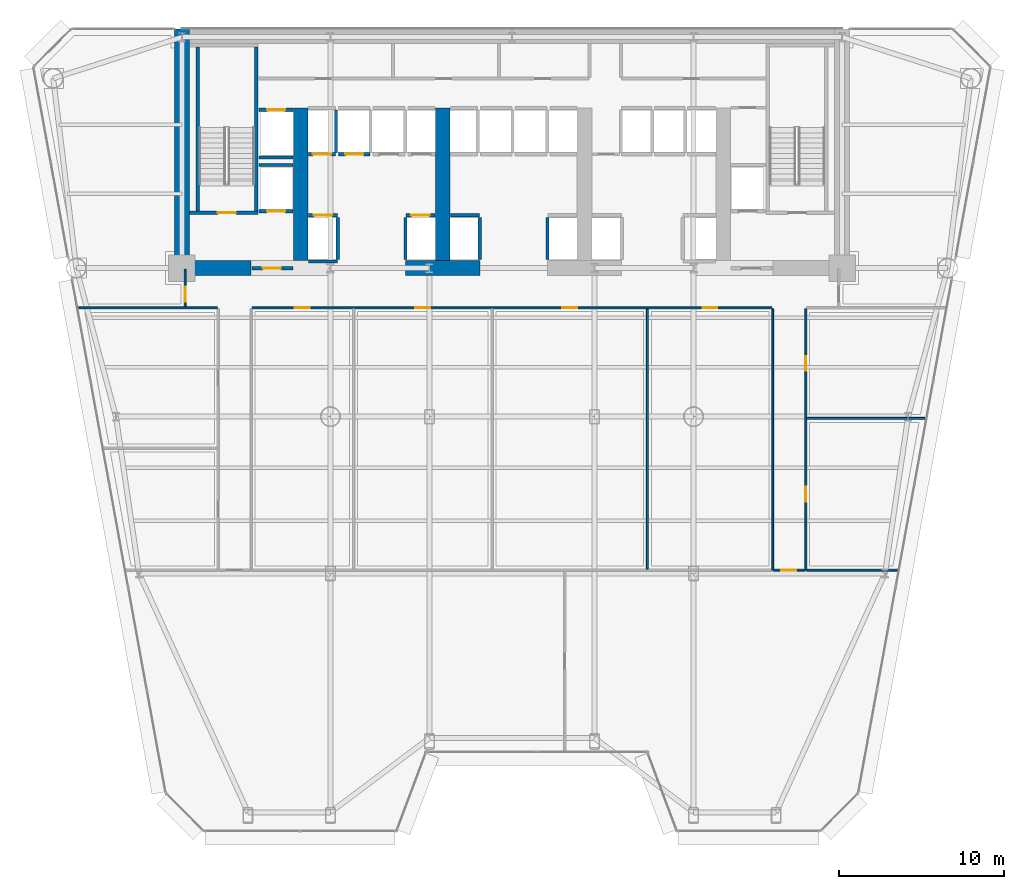
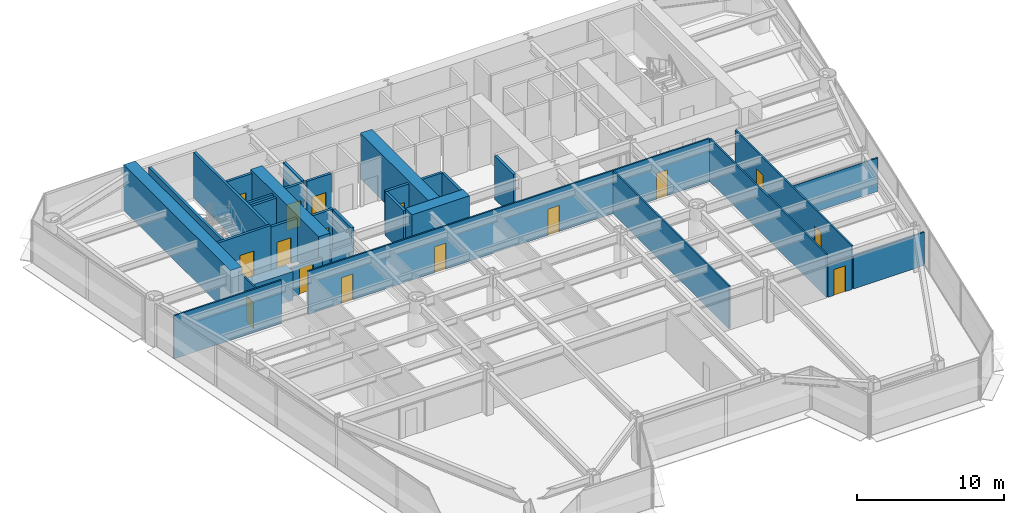
# One storey, part 8 of 14: 33 walls, 16 doors, 16 openings.
"""IFC4 building model written with IfcOpenShell, lengths in metres."""

from ifc_helpers import new_model, si_unit, direction, frame, frame_2d, origin, place, context, subcontext, project, spatial, rectangle, extrude, source, transform, mapped, material, layer, layer_set, type_object, element, fill, save


model = new_model("IFC4")

# Units and contexts
model_context = context("Model", 3, precision=1e-05, world=origin(), true_north=direction((0.0, 1.0)))
body_context = subcontext(model_context, "Body", "Model", "MODEL_VIEW")
ifc_project = project(units=[si_unit("LENGTHUNIT", "METRE"), si_unit("AREAUNIT", "SQUARE_METRE"), si_unit("VOLUMEUNIT", "CUBIC_METRE"), si_unit("PLANEANGLEUNIT", "RADIAN"), si_unit("MASSUNIT", "GRAM", prefix="KILO")], contexts=[model_context])

# Site, building, storey
site_placement = place(None, origin())
site = spatial("IfcSite", under=ifc_project, at=site_placement, CompositionType="ELEMENT")
building_placement = place(site_placement, origin())
building = spatial("IfcBuilding", under=site, at=building_placement, Name="Vaeldorn Concourse Tower", CompositionType="ELEMENT")
storey_placement = place(building_placement, frame((0.0, 0.0, 56.800048828125)))
storey = spatial("IfcBuildingStorey", under=building, at=storey_placement, Name="L14", CompositionType="ELEMENT", Elevation=56.800048828125)

# Walls
ifc_material_1 = material(Name="Concrete C60/75", Category="concrete")
ifc_layer_1 = layer(ifc_material_1, 0.89990234375)
ifc_layer_set_1 = layer_set([ifc_layer_1], Name="Concrete C60/75")
wall_type_1 = type_object("IfcWallType", Name="WL-CORE-900", PredefinedType="SHEAR", material=ifc_layer_set_1)
wall_1_placement = place(storey_placement, frame((14.0, 36.5, 0.0), z_axis=(0.0, 0.0, 1.0), x_axis=(0.0, 1.0, 0.0)))
element("IfcWall", 1, at=wall_1_placement, inside=storey, type_object=wall_type_1, Name="Rear Core Shear Wall L14 W1", PredefinedType="SHEAR", context=body_context, shape_type="SweptSolid", body=[
    extrude(rectangle(XDim=14.5, YDim=0.89990234375, at=frame_2d((7.25, 0.0))), origin(), (0.0, 0.0, 1.0), 3.800048828125),
])
wall_2_placement = place(storey_placement, frame((14.469970703125, 36.5, 0.0), z_axis=(0.0, 0.0, 1.0), x_axis=(1.0, 0.0, 0.0)))
element("IfcWall", 2, at=wall_2_placement, inside=storey, type_object=wall_type_1, Name="Rear Core Shear Wall L14 S1", PredefinedType="SHEAR", context=body_context, shape_type="SweptSolid", body=[
    extrude(rectangle(XDim=3.72998046875, YDim=0.89990234375, at=frame_2d((1.864990234375, 0.0))), origin(), (0.0, 0.0, 1.0), 2.3798828125),
])
wall_3_placement = place(storey_placement, frame((27.550048828125, 36.5, 0.0), z_axis=(0.0, 0.0, 1.0), x_axis=(1.0, 0.0, 0.0)))
element("IfcWall", 3, at=wall_3_placement, inside=storey, type_object=wall_type_1, Name="Rear Core Shear Wall L14 S2", PredefinedType="SHEAR", context=body_context, shape_type="SweptSolid", body=[
    extrude(rectangle(XDim=4.5, YDim=0.89990234375, at=frame_2d((2.25, 0.0))), origin(), (0.0, 0.0, 1.0), 3.800048828125),
])
for number, where, z_axis, x_axis, name in (
    (4, (21.199951171875, 36.969970703125, 0.0), (0.0, 0.0, 1.0), (0.0, 1.0, 0.0), "Rear Core Shear Wall L14 M1"),
    (5, (29.800048828125, 36.969970703125, 0.0), (0.0, 0.0, 1.0), (0.0, 1.0, 0.0), "Rear Core Shear Wall L14 M2"),
):
    element("IfcWall", number, at=place(storey_placement, frame(where, z_axis=z_axis, x_axis=x_axis)), inside=storey, type_object=wall_type_1, Name=name, PredefinedType="SHEAR", context=body_context, shape_type="SweptSolid", body=[
        extrude(rectangle(XDim=9.22998046875, YDim=0.89990234375, at=frame_2d((4.614990234375, 0.0))), origin(), (0.0, 0.0, 1.0), 3.800048828125),
    ])

# Wall, openings, doors
ifc_material_2 = material(Name="Gypsum Board Partition", Category="gypsum")
ifc_layer_2 = layer(ifc_material_2, 0.1201171875)
ifc_layer_set_2 = layer_set([ifc_layer_2], Name="Gypsum Board Partition")
wall_type_2 = type_object("IfcWallType", Name="WL-PART-120", PredefinedType="PARTITIONING", material=ifc_layer_set_2)
wall_4_placement = place(storey_placement, frame((18.260009765625, 34.10009765625, 0.0), z_axis=(0.0, 0.0, 1.0), x_axis=(1.0, 0.0, 0.0)))
wall_4 = element("IfcWall", 6, at=wall_4_placement, inside=storey, type_object=wall_type_2, Name="Interior Wall PW-L14-CEWS", PredefinedType="PARTITIONING", context=body_context, shape_type="SweptSolid", body=[
    extrude(rectangle(XDim=31.47998046875, YDim=0.1201171875, at=frame_2d((15.739990234375, 0.0))), origin(), (0.0, 0.0, 1.0), 3.579833984375),
])
opening_1_placement = place(wall_4_placement, frame((2.590087890625, 0.0, 0.0)))
opening_1 = element("IfcOpeningElement", 7, at=opening_1_placement, cuts=wall_4, Name="Opening D-03", PredefinedType="OPENING", context=body_context, shape_type="SweptSolid", body=[
    extrude(rectangle(XDim=0.89990234375, YDim=2.14990234375, at=frame_2d((0.449951171875, 1.074951171875))), frame((0.0, 0.070068359375, 0.0), z_axis=(0.0, -1.0, 0.0), x_axis=(1.0, 0.0, 0.0)), (0.0, 0.0, 1.0), 0.14013671875),
])
opening_2_placement = place(wall_4_placement, frame((9.889892578125, 0.0, 0.0)))
opening_2 = element("IfcOpeningElement", 8, at=opening_2_placement, cuts=wall_4, Name="Opening D-03", PredefinedType="OPENING", context=body_context, shape_type="SweptSolid", body=[
    extrude(rectangle(XDim=0.89990234375, YDim=2.14990234375, at=frame_2d((0.449951171875, 1.074951171875))), frame((0.0, 0.070068359375, 0.0), z_axis=(0.0, -1.0, 0.0), x_axis=(1.0, 0.0, 0.0)), (0.0, 0.0, 1.0), 0.14013671875),
])
opening_3_placement = place(wall_4_placement, frame((18.7900390625, 0.0, 0.0)))
opening_3 = element("IfcOpeningElement", 9, at=opening_3_placement, cuts=wall_4, Name="Opening D-03", PredefinedType="OPENING", context=body_context, shape_type="SweptSolid", body=[
    extrude(rectangle(XDim=0.89990234375, YDim=2.14990234375, at=frame_2d((0.449951171875, 1.074951171875))), frame((0.0, 0.070068359375, 0.0), z_axis=(0.0, -1.0, 0.0), x_axis=(1.0, 0.0, 0.0)), (0.0, 0.0, 1.0), 0.14013671875),
])
opening_4_placement = place(wall_4_placement, frame((27.2900390625, 0.0, 0.0)))
opening_4 = element("IfcOpeningElement", 10, at=opening_4_placement, cuts=wall_4, Name="Opening D-03", PredefinedType="OPENING", context=body_context, shape_type="SweptSolid", body=[
    extrude(rectangle(XDim=0.89990234375, YDim=2.14990234375, at=frame_2d((0.449951171875, 1.074951171875))), frame((0.0, 0.070068359375, 0.0), z_axis=(0.0, -1.0, 0.0), x_axis=(1.0, 0.0, 0.0)), (0.0, 0.0, 1.0), 0.14013671875),
])
ifc_material_3 = material(Name="Acoustic Bronze-Framed Glass Door", Category="glass")
door_type_1 = type_object("IfcDoorType", Name="DR-INT-900", OperationType="NOTDEFINED", PredefinedType="DOOR", material=ifc_material_3)
shared_shape_1 = source(origin(), body_context, "Body", "SweptSolid", [
    extrude(rectangle(XDim=0.89990234375, YDim=2.14990234375, at=frame_2d((0.449951171875, 1.074951171875))), frame((0.0, 0.02490234375, 0.0), z_axis=(0.0, -1.0, 0.0), x_axis=(1.0, 0.0, 0.0)), (0.0, 0.0, 1.0), 0.050048828125),
])
door_1_placement = place(opening_1_placement, origin())
door_1 = element("IfcDoor", 11, at=door_1_placement, inside=storey, type_object=door_type_1, Name="Interior Door DR-L14-H1", OperationType="SINGLE_SWING_LEFT", OverallHeight=2.14990234375, OverallWidth=0.89990234375, PredefinedType="DOOR", context=body_context, shape_type="MappedRepresentation", body=[
    mapped(shared_shape_1, transform((0.0, 0.0, 0.0), scale=1.0)),
])
fill(opening_1, door_1)
door_2_placement = place(opening_2_placement, origin())
door_2 = element("IfcDoor", 12, at=door_2_placement, inside=storey, type_object=door_type_1, Name="Interior Door DR-L14-H2", OperationType="SINGLE_SWING_RIGHT", OverallHeight=2.14990234375, OverallWidth=0.89990234375, PredefinedType="DOOR", context=body_context, shape_type="MappedRepresentation", body=[
    mapped(shared_shape_1, transform((0.0, 0.0, 0.0), scale=1.0)),
])
fill(opening_2, door_2)
door_3_placement = place(opening_3_placement, origin())
door_3 = element("IfcDoor", 13, at=door_3_placement, inside=storey, type_object=door_type_1, Name="Interior Door DR-L14-H3", OperationType="SINGLE_SWING_LEFT", OverallHeight=2.14990234375, OverallWidth=0.89990234375, PredefinedType="DOOR", context=body_context, shape_type="MappedRepresentation", body=[
    mapped(shared_shape_1, transform((0.0, 0.0, 0.0), scale=1.0)),
])
fill(opening_3, door_3)
door_4_placement = place(opening_4_placement, origin())
door_4 = element("IfcDoor", 14, at=door_4_placement, inside=storey, type_object=door_type_1, Name="Interior Door DR-L14-H4", OperationType="SINGLE_SWING_RIGHT", OverallHeight=2.14990234375, OverallWidth=0.89990234375, PredefinedType="DOOR", context=body_context, shape_type="MappedRepresentation", body=[
    mapped(shared_shape_1, transform((0.0, 0.0, 0.0), scale=1.0)),
])
fill(opening_4, door_4)

# Wall
wall_5_placement = place(storey_placement, frame((7.70068359375, 34.10009765625, 0.0), z_axis=(0.0, 0.0, 1.0), x_axis=(1.0, 0.0, 0.0)))
element("IfcWall", 15, at=wall_5_placement, inside=storey, type_object=wall_type_2, Name="Interior Wall PW-L14-CEWW", PredefinedType="PARTITIONING", context=body_context, shape_type="SweptSolid", body=[
    extrude(rectangle(XDim=8.439208984375, YDim=0.1201171875, at=frame_2d((4.2197265625, 0.0))), origin(), (0.0, 0.0, 1.0), 3.579833984375),
])

# Wall, opening, door
wall_6_placement = place(storey_placement, frame((14.199951171875, 34.159912109375, 0.0), z_axis=(0.0, 0.0, 1.0), x_axis=(0.0, 1.0, 0.0)))
wall_6 = element("IfcWall", 16, at=wall_6_placement, inside=storey, type_object=wall_type_2, Name="Interior Wall PW-L14-CWWT", PredefinedType="PARTITIONING", context=body_context, shape_type="SweptSolid", body=[
    extrude(rectangle(XDim=2.280029296875, YDim=0.1201171875, at=frame_2d((1.14013671875, 0.0))), origin(), (0.0, 0.0, 1.0), 3.579833984375),
])
opening_5_placement = place(wall_6_placement, frame((0.300048828125, 0.0, 0.0)))
opening_5 = element("IfcOpeningElement", 17, at=opening_5_placement, cuts=wall_6, Name="Opening D-03", PredefinedType="OPENING", context=body_context, shape_type="SweptSolid", body=[
    extrude(rectangle(XDim=0.89990234375, YDim=2.14990234375, at=frame_2d((0.449951171875, 1.074951171875))), frame((0.0, 0.070068359375, 0.0), z_axis=(0.0, -1.0, 0.0), x_axis=(1.0, 0.0, 0.0)), (0.0, 0.0, 1.0), 0.14013671875),
])
door_5_placement = place(opening_5_placement, origin())
door_5 = element("IfcDoor", 18, at=door_5_placement, inside=storey, type_object=door_type_1, Name="Interior Door DR-L14-NW1", OperationType="SINGLE_SWING_LEFT", OverallHeight=2.14990234375, OverallWidth=0.89990234375, PredefinedType="DOOR", context=body_context, shape_type="MappedRepresentation", body=[
    mapped(shared_shape_1, transform((0.0, 0.0, 0.0), scale=1.0)),
])
fill(opening_5, door_5)

# Wall
wall_7_placement = place(storey_placement, frame((49.800048828125, 18.199951171875, 0.0), z_axis=(0.0, 0.0, 1.0), x_axis=(0.0, 1.0, 0.0)))
element("IfcWall", 19, at=wall_7_placement, inside=storey, type_object=wall_type_2, Name="Interior Wall PW-L14-CEW", PredefinedType="PARTITIONING", context=body_context, shape_type="SweptSolid", body=[
    extrude(rectangle(XDim=15.840087890625, YDim=0.1201171875, at=frame_2d((7.919921875, 0.0))), origin(), (0.0, 0.0, 1.0), 3.579833984375),
])

# Wall, openings, doors
wall_8_placement = place(storey_placement, frame((51.800048828125, 18.199951171875, 0.0), z_axis=(0.0, 0.0, 1.0), x_axis=(0.0, 1.0, 0.0)))
wall_8 = element("IfcWall", 20, at=wall_8_placement, inside=storey, type_object=wall_type_2, Name="Interior Wall PW-L14-CEE", PredefinedType="PARTITIONING", context=body_context, shape_type="SweptSolid", body=[
    extrude(rectangle(XDim=15.840087890625, YDim=0.1201171875, at=frame_2d((7.919921875, 0.0))), origin(), (0.0, 0.0, 1.0), 3.579833984375),
])
opening_6_placement = place(wall_8_placement, frame((4.14990234375, 0.0, 0.0)))
opening_6 = element("IfcOpeningElement", 21, at=opening_6_placement, cuts=wall_8, Name="Opening D-03", PredefinedType="OPENING", context=body_context, shape_type="SweptSolid", body=[
    extrude(rectangle(XDim=0.89990234375, YDim=2.14990234375, at=frame_2d((0.449951171875, 1.074951171875))), frame((0.0, 0.070068359375, 0.0), z_axis=(0.0, -1.0, 0.0), x_axis=(1.0, 0.0, 0.0)), (0.0, 0.0, 1.0), 0.14013671875),
])
opening_7_placement = place(wall_8_placement, frame((12.070068359375, 0.0, 0.0)))
opening_7 = element("IfcOpeningElement", 22, at=opening_7_placement, cuts=wall_8, Name="Opening D-03", PredefinedType="OPENING", context=body_context, shape_type="SweptSolid", body=[
    extrude(rectangle(XDim=0.89990234375, YDim=2.14990234375, at=frame_2d((0.449951171875, 1.074951171875))), frame((0.0, 0.070068359375, 0.0), z_axis=(0.0, -1.0, 0.0), x_axis=(1.0, 0.0, 0.0)), (0.0, 0.0, 1.0), 0.14013671875),
])
door_6_placement = place(opening_6_placement, origin())
door_6 = element("IfcDoor", 23, at=door_6_placement, inside=storey, type_object=door_type_1, Name="Interior Door DR-L14-E1", OperationType="SINGLE_SWING_RIGHT", OverallHeight=2.14990234375, OverallWidth=0.89990234375, PredefinedType="DOOR", context=body_context, shape_type="MappedRepresentation", body=[
    mapped(shared_shape_1, transform((0.0, 0.0, 0.0), scale=1.0)),
])
fill(opening_6, door_6)
door_7_placement = place(opening_7_placement, origin())
door_7 = element("IfcDoor", 24, at=door_7_placement, inside=storey, type_object=door_type_1, Name="Interior Door DR-L14-E2", OperationType="SINGLE_SWING_LEFT", OverallHeight=2.14990234375, OverallWidth=0.89990234375, PredefinedType="DOOR", context=body_context, shape_type="MappedRepresentation", body=[
    mapped(shared_shape_1, transform((0.0, 0.0, 0.0), scale=1.0)),
])
fill(opening_7, door_7)

# Wall, opening, door
wall_9_placement = place(storey_placement, frame((49.860107421875, 18.199951171875, 0.0), z_axis=(0.0, 0.0, 1.0), x_axis=(1.0, 0.0, 0.0)))
wall_9 = element("IfcWall", 25, at=wall_9_placement, inside=storey, type_object=wall_type_2, Name="Interior Wall PW-L14-CES", PredefinedType="PARTITIONING", context=body_context, shape_type="SweptSolid", body=[
    extrude(rectangle(XDim=1.8798828125, YDim=0.1201171875, at=frame_2d((0.93994140625, 0.0))), origin(), (0.0, 0.0, 1.0), 2.77001953125),
])
opening_8_placement = place(wall_9_placement, frame((0.449951171875, 0.0, 0.0)))
opening_8 = element("IfcOpeningElement", 26, at=opening_8_placement, cuts=wall_9, Name="Opening D-03", PredefinedType="OPENING", context=body_context, shape_type="SweptSolid", body=[
    extrude(rectangle(XDim=0.89990234375, YDim=2.14990234375, at=frame_2d((0.449951171875, 1.074951171875))), frame((0.0, 0.070068359375, 0.0), z_axis=(0.0, -1.0, 0.0), x_axis=(1.0, 0.0, 0.0)), (0.0, 0.0, 1.0), 0.14013671875),
])
door_8_placement = place(opening_8_placement, origin())
door_8 = element("IfcDoor", 27, at=door_8_placement, inside=storey, type_object=door_type_1, Name="Interior Door DR-L14-SEL", OperationType="SINGLE_SWING_RIGHT", OverallHeight=2.14990234375, OverallWidth=0.89990234375, PredefinedType="DOOR", context=body_context, shape_type="MappedRepresentation", body=[
    mapped(shared_shape_1, transform((0.0, 0.0, 0.0), scale=1.0)),
])
fill(opening_8, door_8)

# Walls
wall_10_placement = place(storey_placement, frame((51.860107421875, 18.199951171875, 0.0), z_axis=(0.0, 0.0, 1.0), x_axis=(1.0, 0.0, 0.0)))
element("IfcWall", 28, at=wall_10_placement, inside=storey, type_object=wall_type_2, Name="Interior Wall PW-L14-EY0", PredefinedType="PARTITIONING", context=body_context, shape_type="SweptSolid", body=[
    extrude(rectangle(XDim=5.54150390625, YDim=0.1201171875, at=frame_2d((2.770751953125, 0.0))), origin(), (0.0, 0.0, 1.0), 2.77001953125),
])
wall_11_placement = place(storey_placement, frame((51.860107421875, 27.39990234375, 0.0), z_axis=(0.0, 0.0, 1.0), x_axis=(1.0, 0.0, 0.0)))
element("IfcWall", 29, at=wall_11_placement, inside=storey, type_object=wall_type_2, Name="Interior Wall PW-L14-EY1", PredefinedType="PARTITIONING", context=body_context, shape_type="SweptSolid", body=[
    extrude(rectangle(XDim=7.218017578125, YDim=0.1201171875, at=frame_2d((3.60888671875, 0.0))), origin(), (0.0, 0.0, 1.0), 2.77001953125),
])
wall_12_placement = place(storey_placement, frame((42.199951171875, 18.260009765625, 0.0), z_axis=(0.0, 0.0, 1.0), x_axis=(0.0, 1.0, 0.0)))
element("IfcWall", 30, at=wall_12_placement, inside=storey, type_object=wall_type_2, Name="Interior Wall PW-L14-HX3", PredefinedType="PARTITIONING", context=body_context, shape_type="SweptSolid", body=[
    extrude(rectangle(XDim=15.780029296875, YDim=0.1201171875, at=frame_2d((7.89013671875, 0.0))), origin(), (0.0, 0.0, 1.0), 3.579833984375),
])

# Wall, opening, door
ifc_material_4 = material(Name="Concrete C50/60", Category="concrete")
ifc_layer_3 = layer(ifc_material_4, 0.199951171875)
ifc_layer_set_3 = layer_set([ifc_layer_3], Name="Concrete C50/60")
wall_type_3 = type_object("IfcWallType", Name="WL-SHAFT-200", PredefinedType="SOLIDWALL", material=ifc_layer_set_3)
wall_13_placement = place(storey_placement, frame((14.449951171875, 39.85009765625, 0.0), z_axis=(0.0, 0.0, 1.0), x_axis=(1.0, 0.0, 0.0)))
wall_13 = element("IfcWall", 31, at=wall_13_placement, inside=storey, type_object=wall_type_3, Name="Stair Shaft Wall CW-L14-ST-1-S", PredefinedType="SOLIDWALL", context=body_context, shape_type="SweptSolid", body=[
    extrude(rectangle(XDim=4.150146484375, YDim=0.199951171875, at=frame_2d((2.0751953125, 0.0))), origin(), (0.0, 0.0, 1.0), 3.800048828125),
])
opening_9_placement = place(wall_13_placement, frame((1.72509765625, 0.0, 0.0)))
opening_9 = element("IfcOpeningElement", 32, at=opening_9_placement, cuts=wall_13, Name="Opening D-01", PredefinedType="OPENING", context=body_context, shape_type="SweptSolid", body=[
    extrude(rectangle(XDim=1.10009765625, YDim=2.14990234375, at=frame_2d((0.550048828125, 1.074951171875))), frame((0.0, 0.10986328125, 0.0), z_axis=(0.0, -1.0, 0.0), x_axis=(1.0, 0.0, 0.0)), (0.0, 0.0, 1.0), 0.219970703125),
])
ifc_material_5 = material(Name="Fire-Rated Timber and Steel Leaf", Category="steel")
door_type_2 = type_object("IfcDoorType", Name="DR-FD60-1100", OperationType="NOTDEFINED", PredefinedType="DOOR", material=ifc_material_5)
shared_shape_2 = source(origin(), body_context, "Body", "SweptSolid", [
    extrude(rectangle(XDim=1.10009765625, YDim=2.14990234375, at=frame_2d((0.550048828125, 1.074951171875))), frame((0.0, 0.02490234375, 0.0), z_axis=(0.0, -1.0, 0.0), x_axis=(1.0, 0.0, 0.0)), (0.0, 0.0, 1.0), 0.050048828125),
])
door_9_placement = place(opening_9_placement, origin())
door_9 = element("IfcDoor", 33, at=door_9_placement, inside=storey, type_object=door_type_2, Name="Interior Door DR-L14-ST-1", OperationType="SINGLE_SWING_LEFT", OverallHeight=2.14990234375, OverallWidth=1.10009765625, PredefinedType="DOOR", context=body_context, shape_type="MappedRepresentation", body=[
    mapped(shared_shape_2, transform((0.0, 0.0, 0.0), scale=1.0)),
])
fill(opening_9, door_9)

# Walls
for number, where, z_axis, x_axis, name in (
    (34, (14.949951171875, 39.9599609375, 0.0), (0.0, 0.0, 1.0), (0.0, 1.0, 0.0), "Stair Shaft Wall CW-L14-ST-1-W"),
    (35, (18.5, 39.9599609375, 0.0), (0.0, 0.0, 1.0), (0.0, 1.0, 0.0), "Stair Shaft Wall CW-L14-ST-1-E"),
):
    element("IfcWall", number, at=place(storey_placement, frame(where, z_axis=z_axis, x_axis=x_axis)), inside=storey, type_object=wall_type_3, Name=name, PredefinedType="SOLIDWALL", context=body_context, shape_type="SweptSolid", body=[
        extrude(rectangle(XDim=9.929931640625, YDim=0.199951171875, at=frame_2d((4.96484375, 0.0))), origin(), (0.0, 0.0, 1.0), 3.800048828125),
    ])

# Wall, opening, door
wall_14_placement = place(storey_placement, frame((18.25, 36.5, 0.0), z_axis=(0.0, 0.0, 1.0), x_axis=(1.0, 0.0, 0.0)))
wall_14 = element("IfcWall", 36, at=wall_14_placement, inside=storey, type_object=wall_type_3, Name="Interior Wall CW-L14-FF1S", PredefinedType="SOLIDWALL", context=body_context, shape_type="SweptSolid", body=[
    extrude(rectangle(XDim=2.469970703125, YDim=0.199951171875, at=frame_2d((1.23486328125, 0.0))), origin(), (0.0, 0.0, 1.0), 2.369873046875),
])
opening_10_placement = place(wall_14_placement, frame((0.64990234375, 0.0, 0.0)))
opening_10 = element("IfcOpeningElement", 37, at=opening_10_placement, cuts=wall_14, Name="Opening D-01", PredefinedType="OPENING", context=body_context, shape_type="SweptSolid", body=[
    extrude(rectangle(XDim=1.10009765625, YDim=2.14990234375, at=frame_2d((0.550048828125, 1.074951171875))), frame((0.0, 0.10986328125, 0.0), z_axis=(0.0, -1.0, 0.0), x_axis=(1.0, 0.0, 0.0)), (0.0, 0.0, 1.0), 0.219970703125),
])
door_10_placement = place(opening_10_placement, origin())
door_10 = element("IfcDoor", 38, at=door_10_placement, inside=storey, type_object=door_type_2, Name="Interior Door DR-L14-FF1E", OperationType="SINGLE_SWING_RIGHT", OverallHeight=2.14990234375, OverallWidth=1.10009765625, PredefinedType="DOOR", context=body_context, shape_type="MappedRepresentation", body=[
    mapped(shared_shape_2, transform((0.0, 0.0, 0.0), scale=1.0)),
])
fill(opening_10, door_10)

wall_15_placement = place(storey_placement, frame((21.659912109375, 39.699951171875, 0.0), z_axis=(0.0, 0.0, 1.0), x_axis=(1.0, 0.0, 0.0)))
wall_15 = element("IfcWall", 39, at=wall_15_placement, inside=storey, type_object=wall_type_3, Name="Interior Wall CW-L14-LF-LF-01", PredefinedType="SOLIDWALL", context=body_context, shape_type="SweptSolid", body=[
    extrude(rectangle(XDim=1.77001953125, YDim=0.199951171875, at=frame_2d((0.885009765625, 0.0))), origin(), (0.0, 0.0, 1.0), 3.579833984375),
])
opening_11_placement = place(wall_15_placement, frame((0.3349609375, 0.0, 0.0)))
opening_11 = element("IfcOpeningElement", 40, at=opening_11_placement, cuts=wall_15, Name="Opening LD-1", PredefinedType="OPENING", context=body_context, shape_type="SweptSolid", body=[
    extrude(rectangle(XDim=1.10009765625, YDim=2.14990234375, at=frame_2d((0.550048828125, 1.074951171875))), frame((0.0, 0.10986328125, 0.0), z_axis=(0.0, -1.0, 0.0), x_axis=(1.0, 0.0, 0.0)), (0.0, 0.0, 1.0), 0.219970703125),
])
ifc_material_6 = material(Name="Anodised Bronze Aluminium", Category="aluminium")
door_type_3 = type_object("IfcDoorType", Name="DR-LIFT-SLIDE-1100", OperationType="DOUBLE_DOOR_SLIDING", PredefinedType="DOOR", material=ifc_material_6)
door_11_placement = place(opening_11_placement, origin())
door_11 = element("IfcDoor", 41, at=door_11_placement, inside=storey, type_object=door_type_3, Name="Lift Landing Door LD-L14-LF-01", OperationType="DOUBLE_DOOR_SLIDING", OverallHeight=2.14990234375, OverallWidth=1.10009765625, PredefinedType="DOOR", context=body_context, shape_type="MappedRepresentation", body=[
    mapped(shared_shape_2, transform((0.0, 0.0, 0.0), scale=1.0)),
])
fill(opening_11, door_11)

# Walls
wall_16_placement = place(storey_placement, frame((21.659912109375, 36.89990234375, 0.0), z_axis=(0.0, 0.0, 1.0), x_axis=(1.0, 0.0, 0.0)))
element("IfcWall", 42, at=wall_16_placement, inside=storey, type_object=wall_type_3, Name="Interior Wall CW-L14-LFB-LF-01", PredefinedType="SOLIDWALL", context=body_context, shape_type="SweptSolid", body=[
    extrude(rectangle(XDim=1.77001953125, YDim=0.199951171875, at=frame_2d((0.885009765625, 0.0))), origin(), (0.0, 0.0, 1.0), 2.369873046875),
])
wall_17_placement = place(storey_placement, frame((23.449951171875, 37.02001953125, 0.0), z_axis=(0.0, 0.0, 1.0), x_axis=(0.0, 1.0, 0.0)))
element("IfcWall", 43, at=wall_17_placement, inside=storey, type_object=wall_type_3, Name="Interior Wall CW-L14-LFE-LF-01", PredefinedType="SOLIDWALL", context=body_context, shape_type="SweptSolid", body=[
    extrude(rectangle(XDim=2.56005859375, YDim=0.199951171875, at=frame_2d((1.280029296875, 0.0))), origin(), (0.0, 0.0, 1.0), 3.579833984375),
])

# Wall, opening, door
wall_18_placement = place(storey_placement, frame((27.570068359375, 39.699951171875, 0.0), z_axis=(0.0, 0.0, 1.0), x_axis=(1.0, 0.0, 0.0)))
wall_18 = element("IfcWall", 44, at=wall_18_placement, inside=storey, type_object=wall_type_3, Name="Interior Wall CW-L14-LF-LF-02", PredefinedType="SOLIDWALL", context=body_context, shape_type="SweptSolid", body=[
    extrude(rectangle(XDim=1.77001953125, YDim=0.199951171875, at=frame_2d((0.885009765625, 0.0))), origin(), (0.0, 0.0, 1.0), 3.579833984375),
])
opening_12_placement = place(wall_18_placement, frame((0.3349609375, 0.0, 0.0)))
opening_12 = element("IfcOpeningElement", 45, at=opening_12_placement, cuts=wall_18, Name="Opening LD-1", PredefinedType="OPENING", context=body_context, shape_type="SweptSolid", body=[
    extrude(rectangle(XDim=1.10009765625, YDim=2.14990234375, at=frame_2d((0.550048828125, 1.074951171875))), frame((0.0, 0.10986328125, 0.0), z_axis=(0.0, -1.0, 0.0), x_axis=(1.0, 0.0, 0.0)), (0.0, 0.0, 1.0), 0.219970703125),
])
door_12_placement = place(opening_12_placement, origin())
door_12 = element("IfcDoor", 46, at=door_12_placement, inside=storey, type_object=door_type_3, Name="Lift Landing Door LD-L14-LF-02", OperationType="DOUBLE_DOOR_SLIDING", OverallHeight=2.14990234375, OverallWidth=1.10009765625, PredefinedType="DOOR", context=body_context, shape_type="MappedRepresentation", body=[
    mapped(shared_shape_2, transform((0.0, 0.0, 0.0), scale=1.0)),
])
fill(opening_12, door_12)

# Wall
wall_19_placement = place(storey_placement, frame((27.550048828125, 37.02001953125, 0.0), z_axis=(0.0, 0.0, 1.0), x_axis=(0.0, 1.0, 0.0)))
element("IfcWall", 47, at=wall_19_placement, inside=storey, type_object=wall_type_3, Name="Interior Wall CW-L14-LFW-LF-02", PredefinedType="SOLIDWALL", context=body_context, shape_type="SweptSolid", body=[
    extrude(rectangle(XDim=2.56005859375, YDim=0.199951171875, at=frame_2d((1.280029296875, 0.0))), origin(), (0.0, 0.0, 1.0), 3.579833984375),
])

# Wall, opening, door
wall_20_placement = place(storey_placement, frame((21.659912109375, 43.39990234375, 0.0), z_axis=(0.0, 0.0, 1.0), x_axis=(1.0, 0.0, 0.0)))
wall_20 = element("IfcWall", 48, at=wall_20_placement, inside=storey, type_object=wall_type_3, Name="Interior Wall CW-L14-LF-LF-03", PredefinedType="SOLIDWALL", context=body_context, shape_type="SweptSolid", body=[
    extrude(rectangle(XDim=1.650146484375, YDim=0.199951171875, at=frame_2d((0.8251953125, 0.0))), origin(), (0.0, 0.0, 1.0), 3.579833984375),
])
opening_13_placement = place(wall_20_placement, frame((0.27490234375, 0.0, 0.0)))
opening_13 = element("IfcOpeningElement", 49, at=opening_13_placement, cuts=wall_20, Name="Opening LD-1", PredefinedType="OPENING", context=body_context, shape_type="SweptSolid", body=[
    extrude(rectangle(XDim=1.10009765625, YDim=2.14990234375, at=frame_2d((0.550048828125, 1.074951171875))), frame((0.0, 0.10986328125, 0.0), z_axis=(0.0, -1.0, 0.0), x_axis=(1.0, 0.0, 0.0)), (0.0, 0.0, 1.0), 0.219970703125),
])
door_13_placement = place(opening_13_placement, origin())
door_13 = element("IfcDoor", 50, at=door_13_placement, inside=storey, type_object=door_type_3, Name="Lift Landing Door LD-L14-LF-03", OperationType="DOUBLE_DOOR_SLIDING", OverallHeight=2.14990234375, OverallWidth=1.10009765625, PredefinedType="DOOR", context=body_context, shape_type="MappedRepresentation", body=[
    mapped(shared_shape_2, transform((0.0, 0.0, 0.0), scale=1.0)),
])
fill(opening_13, door_13)

# Wall
wall_21_placement = place(storey_placement, frame((23.330078125, 43.52001953125, 0.0), z_axis=(0.0, 0.0, 1.0), x_axis=(0.0, 1.0, 0.0)))
element("IfcWall", 51, at=wall_21_placement, inside=storey, type_object=wall_type_3, Name="Interior Wall CW-L14-LFE-LF-03", PredefinedType="SOLIDWALL", context=body_context, shape_type="SweptSolid", body=[
    extrude(rectangle(XDim=2.56005859375, YDim=0.199951171875, at=frame_2d((1.280029296875, 0.0))), origin(), (0.0, 0.0, 1.0), 3.579833984375),
])

# Wall, opening, door
wall_22_placement = place(storey_placement, frame((23.489990234375, 43.39990234375, 0.0), z_axis=(0.0, 0.0, 1.0), x_axis=(1.0, 0.0, 0.0)))
wall_22 = element("IfcWall", 52, at=wall_22_placement, inside=storey, type_object=wall_type_3, Name="Interior Wall CW-L14-LF-LF-04", PredefinedType="SOLIDWALL", context=body_context, shape_type="SweptSolid", body=[
    extrude(rectangle(XDim=1.919921875, YDim=0.199951171875, at=frame_2d((0.9599609375, 0.0))), origin(), (0.0, 0.0, 1.0), 3.579833984375),
])
opening_14_placement = place(wall_22_placement, frame((0.409912109375, 0.0, 0.0)))
opening_14 = element("IfcOpeningElement", 53, at=opening_14_placement, cuts=wall_22, Name="Opening LD-1", PredefinedType="OPENING", context=body_context, shape_type="SweptSolid", body=[
    extrude(rectangle(XDim=1.10009765625, YDim=2.14990234375, at=frame_2d((0.550048828125, 1.074951171875))), frame((0.0, 0.10986328125, 0.0), z_axis=(0.0, -1.0, 0.0), x_axis=(1.0, 0.0, 0.0)), (0.0, 0.0, 1.0), 0.219970703125),
])
door_14_placement = place(opening_14_placement, origin())
door_14 = element("IfcDoor", 54, at=door_14_placement, inside=storey, type_object=door_type_3, Name="Lift Landing Door LD-L14-LF-04", OperationType="DOUBLE_DOOR_SLIDING", OverallHeight=2.14990234375, OverallWidth=1.10009765625, PredefinedType="DOOR", context=body_context, shape_type="MappedRepresentation", body=[
    mapped(shared_shape_2, transform((0.0, 0.0, 0.0), scale=1.0)),
])
fill(opening_14, door_14)

# Walls
wall_23_placement = place(storey_placement, frame((30.260009765625, 39.699951171875, 0.0), z_axis=(0.0, 0.0, 1.0), x_axis=(1.0, 0.0, 0.0)))
element("IfcWall", 55, at=wall_23_placement, inside=storey, type_object=wall_type_3, Name="Interior Wall CW-L14-LF-LF-07", PredefinedType="SOLIDWALL", context=body_context, shape_type="SweptSolid", body=[
    extrude(rectangle(XDim=1.77001953125, YDim=0.199951171875, at=frame_2d((0.885009765625, 0.0))), origin(), (0.0, 0.0, 1.0), 3.579833984375),
])
for number, where, z_axis, x_axis, name in (
    (56, (32.050048828125, 37.02001953125, 0.0), (0.0, 0.0, 1.0), (0.0, 1.0, 0.0), "Interior Wall CW-L14-LFE-LF-07"),
    (57, (36.14990234375, 37.02001953125, 0.0), (0.0, 0.0, 1.0), (0.0, 1.0, 0.0), "Interior Wall CW-L14-LFW-LF-08"),
):
    element("IfcWall", number, at=place(storey_placement, frame(where, z_axis=z_axis, x_axis=x_axis)), inside=storey, type_object=wall_type_3, Name=name, PredefinedType="SOLIDWALL", context=body_context, shape_type="SweptSolid", body=[
        extrude(rectangle(XDim=2.56005859375, YDim=0.199951171875, at=frame_2d((1.280029296875, 0.0))), origin(), (0.0, 0.0, 1.0), 3.579833984375),
    ])

# Wall, opening, door
wall_24_placement = place(storey_placement, frame((18.669921875, 46.10009765625, 0.0), z_axis=(0.0, 0.0, 1.0), x_axis=(1.0, 0.0, 0.0)))
wall_24 = element("IfcWall", 58, at=wall_24_placement, inside=storey, type_object=wall_type_3, Name="Interior Wall CW-L14-LF-LF-SV1", PredefinedType="SOLIDWALL", context=body_context, shape_type="SweptSolid", body=[
    extrude(rectangle(XDim=2.070068359375, YDim=0.199951171875, at=frame_2d((1.03515625, 0.0))), origin(), (0.0, 0.0, 1.0), 3.579833984375),
])
opening_15_placement = place(wall_24_placement, frame((0.485107421875, 0.0, 0.0)))
opening_15 = element("IfcOpeningElement", 59, at=opening_15_placement, cuts=wall_24, Name="Opening LD-1", PredefinedType="OPENING", context=body_context, shape_type="SweptSolid", body=[
    extrude(rectangle(XDim=1.10009765625, YDim=2.14990234375, at=frame_2d((0.550048828125, 1.074951171875))), frame((0.0, 0.10986328125, 0.0), z_axis=(0.0, -1.0, 0.0), x_axis=(1.0, 0.0, 0.0)), (0.0, 0.0, 1.0), 0.219970703125),
])
door_15_placement = place(opening_15_placement, origin())
door_15 = element("IfcDoor", 60, at=door_15_placement, inside=storey, type_object=door_type_3, Name="Lift Landing Door LD-L14-LF-SV1", OperationType="DOUBLE_DOOR_SLIDING", OverallHeight=2.14990234375, OverallWidth=1.10009765625, PredefinedType="DOOR", context=body_context, shape_type="MappedRepresentation", body=[
    mapped(shared_shape_2, transform((0.0, 0.0, 0.0), scale=1.0)),
])
fill(opening_15, door_15)

# Wall
wall_25_placement = place(storey_placement, frame((18.669921875, 43.199951171875, 0.0), z_axis=(0.0, 0.0, 1.0), x_axis=(1.0, 0.0, 0.0)))
element("IfcWall", 61, at=wall_25_placement, inside=storey, type_object=wall_type_3, Name="Interior Wall CW-L14-LFB-LF-SV1", PredefinedType="SOLIDWALL", context=body_context, shape_type="SweptSolid", body=[
    extrude(rectangle(XDim=2.070068359375, YDim=0.199951171875, at=frame_2d((1.03515625, 0.0))), origin(), (0.0, 0.0, 1.0), 3.579833984375),
])

# Wall, opening, door
wall_26_placement = place(storey_placement, frame((18.669921875, 39.949951171875, 0.0), z_axis=(0.0, 0.0, 1.0), x_axis=(1.0, 0.0, 0.0)))
wall_26 = element("IfcWall", 62, at=wall_26_placement, inside=storey, type_object=wall_type_3, Name="Interior Wall CW-L14-LF-LF-FF1", PredefinedType="SOLIDWALL", context=body_context, shape_type="SweptSolid", body=[
    extrude(rectangle(XDim=2.070068359375, YDim=0.199951171875, at=frame_2d((1.03515625, 0.0))), origin(), (0.0, 0.0, 1.0), 3.579833984375),
])
opening_16_placement = place(wall_26_placement, frame((0.485107421875, 0.0, 0.0)))
opening_16 = element("IfcOpeningElement", 63, at=opening_16_placement, cuts=wall_26, Name="Opening LD-1", PredefinedType="OPENING", context=body_context, shape_type="SweptSolid", body=[
    extrude(rectangle(XDim=1.10009765625, YDim=2.14990234375, at=frame_2d((0.550048828125, 1.074951171875))), frame((0.0, 0.10986328125, 0.0), z_axis=(0.0, -1.0, 0.0), x_axis=(1.0, 0.0, 0.0)), (0.0, 0.0, 1.0), 0.219970703125),
])
door_16_placement = place(opening_16_placement, origin())
door_16 = element("IfcDoor", 64, at=door_16_placement, inside=storey, type_object=door_type_3, Name="Lift Landing Door LD-L14-LF-FF1", OperationType="DOUBLE_DOOR_SLIDING", OverallHeight=2.14990234375, OverallWidth=1.10009765625, PredefinedType="DOOR", context=body_context, shape_type="MappedRepresentation", body=[
    mapped(shared_shape_2, transform((0.0, 0.0, 0.0), scale=1.0)),
])
fill(opening_16, door_16)

# Wall
wall_27_placement = place(storey_placement, frame((18.669921875, 42.75, 0.0), z_axis=(0.0, 0.0, 1.0), x_axis=(1.0, 0.0, 0.0)))
element("IfcWall", 65, at=wall_27_placement, inside=storey, type_object=wall_type_3, Name="Interior Wall CW-L14-LFB-LF-FF1", PredefinedType="SOLIDWALL", context=body_context, shape_type="SweptSolid", body=[
    extrude(rectangle(XDim=2.070068359375, YDim=0.199951171875, at=frame_2d((1.03515625, 0.0))), origin(), (0.0, 0.0, 1.0), 3.579833984375),
])

save(model, "model.ifc")
